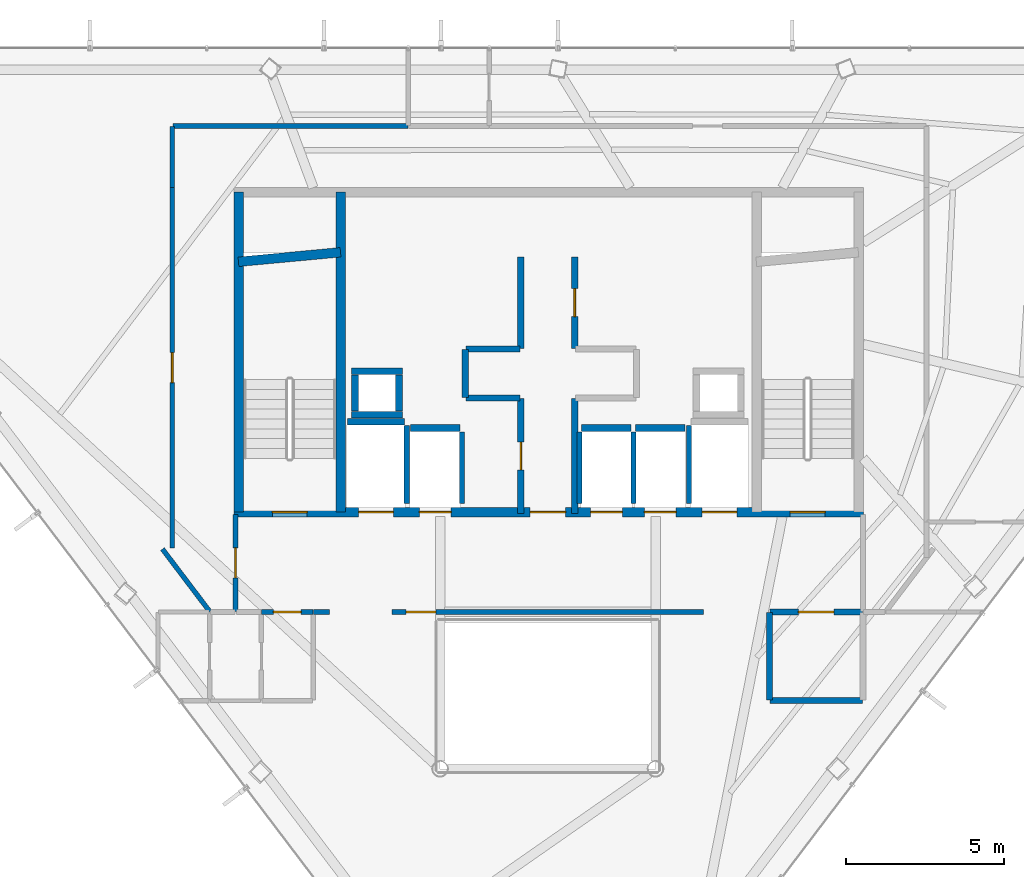
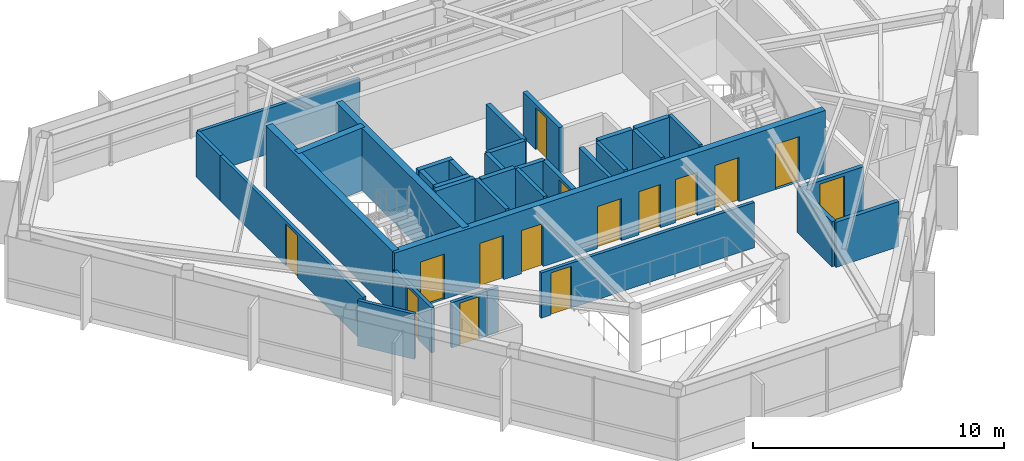
# One storey, part 22 of 24: 35 walls, 15 doors, 15 openings.
"""IFC4 building model written with IfcOpenShell, lengths in metres."""

from ifc_helpers import new_model, si_unit, direction, frame, frame_2d, origin, place, context, subcontext, project, spatial, rectangle, extrude, material, layer, layer_set, type_object, element, fill, save


model = new_model("IFC4")

# Units and contexts
model_context = context("Model", 3, precision=1e-05, world=origin(), true_north=direction((0.0, 1.0)))
body_context = subcontext(model_context, "Body", "Model", "MODEL_VIEW")
ifc_project = project(units=[si_unit("LENGTHUNIT", "METRE"), si_unit("AREAUNIT", "SQUARE_METRE"), si_unit("VOLUMEUNIT", "CUBIC_METRE"), si_unit("PLANEANGLEUNIT", "RADIAN"), si_unit("MASSUNIT", "GRAM", prefix="KILO")], contexts=[model_context])

# Site, building, storey
site_placement = place(None, origin())
site = spatial("IfcSite", under=ifc_project, at=site_placement, CompositionType="ELEMENT")
building_placement = place(site_placement, origin())
building = spatial("IfcBuilding", under=site, at=building_placement, Name="Zarrinselat Tower", CompositionType="ELEMENT")
storey_placement = place(building_placement, frame((0.0, 0.0, 249.56005859375)))
storey = spatial("IfcBuildingStorey", under=building, at=storey_placement, Name="L63", CompositionType="ELEMENT", Elevation=249.56005859375)

# Wall, opening, door
ifc_material_1 = material(Name="Concrete C40/50", Category="concrete")
ifc_layer_1 = layer(ifc_material_1, 0.18994140625)
ifc_layer_set_1 = layer_set([ifc_layer_1], Name="Concrete C40/50")
wall_type_1 = type_object("IfcWallType", Name="WAL-PART-EI120", PredefinedType="PARTITIONING", material=ifc_layer_set_1)
wall_1_placement = place(storey_placement, frame((45.405029296875, 30.14990234375, 0.0), z_axis=(0.0, 0.0, 1.0), x_axis=(1.0, 0.0, 0.0)))
wall_1 = element("IfcWall", 1, at=wall_1_placement, inside=storey, type_object=wall_type_1, Name="L63 Partition Wall 11", PredefinedType="PARTITIONING", context=body_context, shape_type="SweptSolid", body=[
    extrude(rectangle(XDim=2.925048828125, YDim=0.18994140625, at=frame_2d((1.46240234375, 0.0))), origin(), (0.0, 0.0, 1.0), 2.199951171875),
])
opening_1_placement = place(wall_1_placement, frame((0.902587890625, 0.0, 0.0)))
opening_1 = element("IfcOpeningElement", 2, at=opening_1_placement, cuts=wall_1, Name="Opening ID-02", PredefinedType="OPENING", context=body_context, shape_type="SweptSolid", body=[
    extrude(rectangle(XDim=1.1201171875, YDim=2.050048828125, at=frame_2d((0.56005859375, 1.02490234375))), frame((0.0, 0.10498046875, 0.0), z_axis=(0.0, -1.0, 0.0), x_axis=(1.0, 0.0, 0.0)), (0.0, 0.0, 1.0), 0.2099609375),
])
ifc_material_2 = material(Name="Steel S355J2", Category="steel")
door_type_1 = type_object("IfcDoorType", Name="DR-INT-FD60-W", OperationType="NOTDEFINED", PredefinedType="DOOR", material=ifc_material_2)
door_1_placement = place(opening_1_placement, origin())
door_1 = element("IfcDoor", 3, at=door_1_placement, inside=storey, type_object=door_type_1, Name="L63 Interior Door P11", OperationType="SINGLE_SWING_LEFT", OverallHeight=2.050048828125, OverallWidth=1.1201171875, PredefinedType="DOOR", context=body_context, shape_type="SweptSolid", body=[
    extrude(rectangle(XDim=1.1201171875, YDim=2.050048828125, at=frame_2d((0.56005859375, 1.02490234375))), frame((0.0, 0.02490234375, 0.0), z_axis=(0.0, -1.0, 0.0), x_axis=(1.0, 0.0, 0.0)), (0.0, 0.0, 1.0), 0.050048828125),
])
fill(opening_1, door_1)

# Walls
wall_2_placement = place(storey_placement, frame((45.419921875, 27.35009765625, 0.0), z_axis=(0.0, 0.0, 1.0), x_axis=(1.0, 0.0, 0.0)))
element("IfcWall", 4, at=wall_2_placement, inside=storey, type_object=wall_type_1, Name="L63 Partition Wall 18", PredefinedType="PARTITIONING", context=body_context, shape_type="SweptSolid", body=[
    extrude(rectangle(XDim=2.91015625, YDim=0.18994140625, at=frame_2d((1.455078125, 0.0))), origin(), (0.0, 0.0, 1.0), 2.199951171875),
])
wall_3_placement = place(storey_placement, frame((45.39990234375, 27.3701171875, 0.0), z_axis=(0.0, 0.0, 1.0), x_axis=(0.0, 1.0, 0.0)))
element("IfcWall", 5, at=wall_3_placement, inside=storey, type_object=wall_type_1, Name="L63 Partition Wall 19", PredefinedType="PARTITIONING", context=body_context, shape_type="SweptSolid", body=[
    extrude(rectangle(XDim=2.759765625, YDim=0.18994140625, at=frame_2d((1.3798828125, 0.0))), origin(), (0.0, 0.0, 1.0), 2.199951171875),
])

# Wall, opening, door
ifc_material_3 = material(Name="Fire-Rated Gypsum Board Partition", Category="gypsum")
ifc_layer_2 = layer(ifc_material_3, 0.14990234375)
ifc_layer_set_2 = layer_set([ifc_layer_2], Name="Fire-Rated Gypsum Board Partition")
wall_type_2 = type_object("IfcWallType", Name="WAL-PART-EI60", PredefinedType="PARTITIONING", material=ifc_layer_set_2)
wall_4_placement = place(storey_placement, frame((28.550048828125, 30.169921875, 0.0), z_axis=(0.0, 0.0, 1.0), x_axis=(0.0, 1.0, 0.0)))
wall_4 = element("IfcWall", 6, at=wall_4_placement, inside=storey, type_object=wall_type_2, Name="L63 Partition Wall 12", PredefinedType="PARTITIONING", context=body_context, shape_type="SweptSolid", body=[
    extrude(rectangle(XDim=3.06005859375, YDim=0.14990234375, at=frame_2d((1.530029296875, 0.0))), origin(), (0.0, 0.0, 1.0), 2.199951171875),
])
opening_2_placement = place(wall_4_placement, frame((1.06005859375, 0.0, 0.0)))
opening_2 = element("IfcOpeningElement", 7, at=opening_2_placement, cuts=wall_4, Name="Opening ID-04", PredefinedType="OPENING", context=body_context, shape_type="SweptSolid", body=[
    extrude(rectangle(XDim=0.93994140625, YDim=2.050048828125, at=frame_2d((0.469970703125, 1.02490234375))), frame((0.0, 0.0849609375, 0.0), z_axis=(0.0, -1.0, 0.0), x_axis=(1.0, 0.0, 0.0)), (0.0, 0.0, 1.0), 0.169921875),
])
ifc_material_4 = material(Name="Fire-Rated Gypsum Board Partition")
door_type_2 = type_object("IfcDoorType", Name="DR-INT-FD30-ENT", OperationType="NOTDEFINED", PredefinedType="DOOR", material=ifc_material_4)
door_2_placement = place(opening_2_placement, origin())
door_2 = element("IfcDoor", 8, at=door_2_placement, inside=storey, type_object=door_type_2, Name="L63 Interior Door P12", OperationType="SINGLE_SWING_RIGHT", OverallHeight=2.050048828125, OverallWidth=0.93994140625, PredefinedType="DOOR", context=body_context, shape_type="SweptSolid", body=[
    extrude(rectangle(XDim=0.93994140625, YDim=2.050048828125, at=frame_2d((0.469970703125, 1.02490234375))), frame((0.0, 0.02490234375, 0.0), z_axis=(0.0, -1.0, 0.0), x_axis=(1.0, 0.0, 0.0)), (0.0, 0.0, 1.0), 0.050048828125),
])
fill(opening_2, door_2)

wall_5_placement = place(storey_placement, frame((29.364990234375, 30.14990234375, 0.0), z_axis=(0.0, 0.0, 1.0), x_axis=(1.0, 0.0, 0.0)))
wall_5 = element("IfcWall", 9, at=wall_5_placement, inside=storey, type_object=wall_type_2, Name="L63 Partition Wall 14", PredefinedType="PARTITIONING", context=body_context, shape_type="SweptSolid", body=[
    extrude(rectangle(XDim=1.630126953125, YDim=0.14990234375, at=frame_2d((0.81494140625, 0.0))), origin(), (0.0, 0.0, 1.0), 2.199951171875),
])
opening_3_placement = place(wall_5_placement, frame((0.375, 0.0, 0.0)))
opening_3 = element("IfcOpeningElement", 10, at=opening_3_placement, cuts=wall_5, Name="Opening ID-03", PredefinedType="OPENING", context=body_context, shape_type="SweptSolid", body=[
    extrude(rectangle(XDim=0.8798828125, YDim=2.050048828125, at=frame_2d((0.43994140625, 1.02490234375))), frame((0.0, 0.0849609375, 0.0), z_axis=(0.0, -1.0, 0.0), x_axis=(1.0, 0.0, 0.0)), (0.0, 0.0, 1.0), 0.169921875),
])
ifc_material_5 = material(Name="Steel S355J2", Category="steel")
door_type_3 = type_object("IfcDoorType", Name="DR-INT-FD60-S", OperationType="NOTDEFINED", PredefinedType="DOOR", material=ifc_material_5)
door_3_placement = place(opening_3_placement, origin())
door_3 = element("IfcDoor", 11, at=door_3_placement, inside=storey, type_object=door_type_3, Name="L63 Interior Door P14", OperationType="SINGLE_SWING_LEFT", OverallHeight=2.050048828125, OverallWidth=0.8798828125, PredefinedType="DOOR", context=body_context, shape_type="SweptSolid", body=[
    extrude(rectangle(XDim=0.8798828125, YDim=2.050048828125, at=frame_2d((0.43994140625, 1.02490234375))), frame((0.0, 0.02490234375, 0.0), z_axis=(0.0, -1.0, 0.0), x_axis=(1.0, 0.0, 0.0)), (0.0, 0.0, 1.0), 0.050048828125),
])
fill(opening_3, door_3)

wall_6_placement = place(storey_placement, frame((33.485107421875, 30.14990234375, 0.0), z_axis=(0.0, 0.0, 1.0), x_axis=(1.0, 0.0, 0.0)))
wall_6 = element("IfcWall", 12, at=wall_6_placement, inside=storey, type_object=wall_type_2, Name="L63 Partition Wall 16", PredefinedType="PARTITIONING", context=body_context, shape_type="SweptSolid", body=[
    extrude(rectangle(XDim=9.829833984375, YDim=0.14990234375, at=frame_2d((4.9150390625, 0.0))), origin(), (0.0, 0.0, 1.0), 2.199951171875),
])
opening_4_placement = place(wall_6_placement, frame((0.445068359375, 0.0, 0.0)))
opening_4 = element("IfcOpeningElement", 13, at=opening_4_placement, cuts=wall_6, Name="Opening ID-04", PredefinedType="OPENING", context=body_context, shape_type="SweptSolid", body=[
    extrude(rectangle(XDim=0.93994140625, YDim=2.050048828125, at=frame_2d((0.469970703125, 1.02490234375))), frame((0.0, 0.0849609375, 0.0), z_axis=(0.0, -1.0, 0.0), x_axis=(1.0, 0.0, 0.0)), (0.0, 0.0, 1.0), 0.169921875),
])
door_4_placement = place(opening_4_placement, origin())
door_4 = element("IfcDoor", 14, at=door_4_placement, inside=storey, type_object=door_type_2, Name="L63 Interior Door P16", OperationType="SINGLE_SWING_RIGHT", OverallHeight=2.050048828125, OverallWidth=0.93994140625, PredefinedType="DOOR", context=body_context, shape_type="SweptSolid", body=[
    extrude(rectangle(XDim=0.93994140625, YDim=2.050048828125, at=frame_2d((0.469970703125, 1.02490234375))), frame((0.0, 0.02490234375, 0.0), z_axis=(0.0, -1.0, 0.0), x_axis=(1.0, 0.0, 0.0)), (0.0, 0.0, 1.0), 0.050048828125),
])
fill(opening_4, door_4)

# Walls
wall_7_placement = place(storey_placement, frame((31.0048828125, 30.14990234375, 0.0), z_axis=(0.0, 0.0, 1.0), x_axis=(1.0, 0.0, 0.0)))
element("IfcWall", 15, at=wall_7_placement, inside=storey, type_object=wall_type_2, Name="L63 Partition Wall 17", PredefinedType="PARTITIONING", context=body_context, shape_type="SweptSolid", body=[
    extrude(rectangle(XDim=0.510009765625, YDim=0.14990234375, at=frame_2d((0.2548828125, 0.0))), origin(), (0.0, 0.0, 1.0), 2.199951171875),
])
wall_8_placement = place(storey_placement, frame((26.24169921875, 32.134033203125, 0.0), z_axis=(0.0, 0.0, 1.0), x_axis=(0.603806281462, -0.797131089889, 0.0)))
element("IfcWall", 16, at=wall_8_placement, inside=storey, type_object=wall_type_2, Name="L63 Partition Wall 23", PredefinedType="PARTITIONING", context=body_context, shape_type="SweptSolid", body=[
    extrude(rectangle(XDim=2.468994140625, YDim=0.14990234375, at=frame_2d((1.234375, 0.0))), origin(), (0.0, 0.0, 1.0), 2.199951171875),
])

# Wall, opening, door
wall_9_placement = place(storey_placement, frame((26.550048828125, 32.169921875, 0.0), z_axis=(0.0, 0.0, 1.0), x_axis=(0.0, 1.0, 0.0)))
wall_9 = element("IfcWall", 17, at=wall_9_placement, inside=storey, type_object=wall_type_2, Name="L63 Partition Wall 24", PredefinedType="PARTITIONING", context=body_context, shape_type="SweptSolid", body=[
    extrude(rectangle(XDim=11.380126953125, YDim=0.14990234375, at=frame_2d((5.68994140625, 0.0))), origin(), (0.0, 0.0, 1.0), 2.199951171875),
])
opening_5_placement = place(wall_9_placement, frame((5.219970703125, 0.0, 0.0)))
opening_5 = element("IfcOpeningElement", 18, at=opening_5_placement, cuts=wall_9, Name="Opening ID-04", PredefinedType="OPENING", context=body_context, shape_type="SweptSolid", body=[
    extrude(rectangle(XDim=0.93994140625, YDim=2.050048828125, at=frame_2d((0.469970703125, 1.02490234375))), frame((0.0, 0.0849609375, 0.0), z_axis=(0.0, -1.0, 0.0), x_axis=(1.0, 0.0, 0.0)), (0.0, 0.0, 1.0), 0.169921875),
])
door_5_placement = place(opening_5_placement, origin())
door_5 = element("IfcDoor", 19, at=door_5_placement, inside=storey, type_object=door_type_2, Name="L63 Interior Door P24", OperationType="SINGLE_SWING_LEFT", OverallHeight=2.050048828125, OverallWidth=0.93994140625, PredefinedType="DOOR", context=body_context, shape_type="SweptSolid", body=[
    extrude(rectangle(XDim=0.93994140625, YDim=2.050048828125, at=frame_2d((0.469970703125, 1.02490234375))), frame((0.0, 0.02490234375, 0.0), z_axis=(0.0, -1.0, 0.0), x_axis=(1.0, 0.0, 0.0)), (0.0, 0.0, 1.0), 0.050048828125),
])
fill(opening_5, door_5)

# Walls
wall_10_placement = place(storey_placement, frame((26.550048828125, 43.550048828125, 0.0), z_axis=(0.0, 0.0, 1.0), x_axis=(0.0, 1.0, 0.0)))
element("IfcWall", 20, at=wall_10_placement, inside=storey, type_object=wall_type_2, Name="L63 Partition Wall 25", PredefinedType="PARTITIONING", context=body_context, shape_type="SweptSolid", body=[
    extrude(rectangle(XDim=1.91455078125, YDim=0.14990234375, at=frame_2d((0.957275390625, 0.0))), origin(), (0.0, 0.0, 1.0), 2.199951171875),
])
wall_11_placement = place(storey_placement, frame((26.570068359375, 45.484619140625, 0.0), z_axis=(0.0, 0.0, 1.0), x_axis=(1.0, 0.0, 0.0)))
element("IfcWall", 21, at=wall_11_placement, inside=storey, type_object=wall_type_2, Name="L63 Partition Wall 26", PredefinedType="PARTITIONING", context=body_context, shape_type="SweptSolid", body=[
    extrude(rectangle(XDim=7.425048828125, YDim=0.14990234375, at=frame_2d((3.71240234375, 0.0))), origin(), (0.0, 0.0, 1.0), 2.199951171875),
])

# Wall, opening, door
ifc_material_6 = material(Name="Concrete C40/50", Category="concrete")
ifc_layer_3 = layer(ifc_material_6, 0.199951171875)
ifc_layer_set_3 = layer_set([ifc_layer_3], Name="Concrete C40/50")
wall_type_3 = type_object("IfcWallType", Name="WAL-PART-PLANT", PredefinedType="PARTITIONING", material=ifc_layer_set_3)
wall_12_placement = place(storey_placement, frame((37.550048828125, 33.264892578125, 0.0), z_axis=(0.0, 0.0, 1.0), x_axis=(0.0, 1.0, 0.0)))
wall_12 = element("IfcWall", 22, at=wall_12_placement, inside=storey, type_object=wall_type_3, Name="L63 Partition Wall 1", PredefinedType="PARTITIONING", context=body_context, shape_type="SweptSolid", body=[
    extrude(rectangle(XDim=3.614990234375, YDim=0.199951171875, at=frame_2d((1.8076171875, 0.0))), origin(), (0.0, 0.0, 1.0), 2.199951171875),
])
opening_6_placement = place(wall_12_placement, frame((1.367431640625, 0.0, 0.0)))
opening_6 = element("IfcOpeningElement", 23, at=opening_6_placement, cuts=wall_12, Name="Opening ID-03", PredefinedType="OPENING", context=body_context, shape_type="SweptSolid", body=[
    extrude(rectangle(XDim=0.8798828125, YDim=2.050048828125, at=frame_2d((0.43994140625, 1.02490234375))), frame((0.0, 0.10986328125, 0.0), z_axis=(0.0, -1.0, 0.0), x_axis=(1.0, 0.0, 0.0)), (0.0, 0.0, 1.0), 0.219970703125),
])
door_6_placement = place(opening_6_placement, origin())
door_6 = element("IfcDoor", 24, at=door_6_placement, inside=storey, type_object=door_type_3, Name="L63 Interior Door P1", OperationType="SINGLE_SWING_LEFT", OverallHeight=2.050048828125, OverallWidth=0.8798828125, PredefinedType="DOOR", context=body_context, shape_type="SweptSolid", body=[
    extrude(rectangle(XDim=0.8798828125, YDim=2.050048828125, at=frame_2d((0.43994140625, 1.02490234375))), frame((0.0, 0.02490234375, 0.0), z_axis=(0.0, -1.0, 0.0), x_axis=(1.0, 0.0, 0.0)), (0.0, 0.0, 1.0), 0.050048828125),
])
fill(opening_6, door_6)

# Walls
wall_13_placement = place(storey_placement, frame((35.820068359375, 36.89990234375, 0.0), z_axis=(0.0, 0.0, 1.0), x_axis=(1.0, 0.0, 0.0)))
element("IfcWall", 25, at=wall_13_placement, inside=storey, type_object=wall_type_3, Name="L63 Partition Wall 2", PredefinedType="PARTITIONING", context=body_context, shape_type="SweptSolid", body=[
    extrude(rectangle(XDim=1.7099609375, YDim=0.199951171875, at=frame_2d((0.85498046875, 0.0))), origin(), (0.0, 0.0, 1.0), 2.199951171875),
])
wall_14_placement = place(storey_placement, frame((35.800048828125, 36.919921875, 0.0), z_axis=(0.0, 0.0, 1.0), x_axis=(0.0, 1.0, 0.0)))
element("IfcWall", 26, at=wall_14_placement, inside=storey, type_object=wall_type_3, Name="L63 Partition Wall 3", PredefinedType="PARTITIONING", context=body_context, shape_type="SweptSolid", body=[
    extrude(rectangle(XDim=1.510009765625, YDim=0.199951171875, at=frame_2d((0.7548828125, 0.0))), origin(), (0.0, 0.0, 1.0), 2.199951171875),
])
wall_15_placement = place(storey_placement, frame((35.820068359375, 38.449951171875, 0.0), z_axis=(0.0, 0.0, 1.0), x_axis=(1.0, 0.0, 0.0)))
element("IfcWall", 27, at=wall_15_placement, inside=storey, type_object=wall_type_3, Name="L63 Partition Wall 4", PredefinedType="PARTITIONING", context=body_context, shape_type="SweptSolid", body=[
    extrude(rectangle(XDim=1.7099609375, YDim=0.199951171875, at=frame_2d((0.85498046875, 0.0))), origin(), (0.0, 0.0, 1.0), 2.199951171875),
])
wall_16_placement = place(storey_placement, frame((37.550048828125, 38.469970703125, 0.0), z_axis=(0.0, 0.0, 1.0), x_axis=(0.0, 1.0, 0.0)))
element("IfcWall", 28, at=wall_16_placement, inside=storey, type_object=wall_type_3, Name="L63 Partition Wall 5", PredefinedType="PARTITIONING", context=body_context, shape_type="SweptSolid", body=[
    extrude(rectangle(XDim=2.880126953125, YDim=0.199951171875, at=frame_2d((1.43994140625, 0.0))), origin(), (0.0, 0.0, 1.0), 2.199951171875),
])

# Wall, opening, door
wall_17_placement = place(storey_placement, frame((39.25, 38.469970703125, 0.0), z_axis=(0.0, 0.0, 1.0), x_axis=(0.0, 1.0, 0.0)))
wall_17 = element("IfcWall", 29, at=wall_17_placement, inside=storey, type_object=wall_type_3, Name="L63 Partition Wall 6", PredefinedType="PARTITIONING", context=body_context, shape_type="SweptSolid", body=[
    extrude(rectangle(XDim=2.880126953125, YDim=0.199951171875, at=frame_2d((1.43994140625, 0.0))), origin(), (0.0, 0.0, 1.0), 2.199951171875),
])
opening_7_placement = place(wall_17_placement, frame((1.0, 0.0, 0.0)))
opening_7 = element("IfcOpeningElement", 30, at=opening_7_placement, cuts=wall_17, Name="Opening ID-03", PredefinedType="OPENING", context=body_context, shape_type="SweptSolid", body=[
    extrude(rectangle(XDim=0.8798828125, YDim=2.050048828125, at=frame_2d((0.43994140625, 1.02490234375))), frame((0.0, 0.10986328125, 0.0), z_axis=(0.0, -1.0, 0.0), x_axis=(1.0, 0.0, 0.0)), (0.0, 0.0, 1.0), 0.219970703125),
])
door_7_placement = place(opening_7_placement, origin())
door_7 = element("IfcDoor", 31, at=door_7_placement, inside=storey, type_object=door_type_3, Name="L63 Interior Door P6", OperationType="SINGLE_SWING_RIGHT", OverallHeight=2.050048828125, OverallWidth=0.8798828125, PredefinedType="DOOR", context=body_context, shape_type="SweptSolid", body=[
    extrude(rectangle(XDim=0.8798828125, YDim=2.050048828125, at=frame_2d((0.43994140625, 1.02490234375))), frame((0.0, 0.02490234375, 0.0), z_axis=(0.0, -1.0, 0.0), x_axis=(1.0, 0.0, 0.0)), (0.0, 0.0, 1.0), 0.050048828125),
])
fill(opening_7, door_7)

# Walls
wall_18_placement = place(storey_placement, frame((39.25, 33.264892578125, 0.0), z_axis=(0.0, 0.0, 1.0), x_axis=(0.0, 1.0, 0.0)))
element("IfcWall", 32, at=wall_18_placement, inside=storey, type_object=wall_type_3, Name="L63 Partition Wall 10", PredefinedType="PARTITIONING", context=body_context, shape_type="SweptSolid", body=[
    extrude(rectangle(XDim=3.614990234375, YDim=0.199951171875, at=frame_2d((1.8076171875, 0.0))), origin(), (0.0, 0.0, 1.0), 2.199951171875),
])
ifc_material_7 = material(Name="Concrete C40/50", Category="concrete")
ifc_layer_4 = layer(ifc_material_7, 0.2099609375)
ifc_layer_set_4 = layer_set([ifc_layer_4], Name="Concrete C40/50")
wall_type_4 = type_object("IfcWallType", Name="WAL-SHAFT-210", PredefinedType="SOLIDWALL", material=ifc_layer_set_4)
wall_19_placement = place(storey_placement, frame((32.080078125, 36.155029296875, 0.0), z_axis=(0.0, 0.0, 1.0), x_axis=(1.0, 0.0, 0.0)))
element("IfcWall", 33, at=wall_19_placement, inside=storey, type_object=wall_type_4, Name="L63 Lift FFL1 North Shaft Wall", PredefinedType="SOLIDWALL", context=body_context, shape_type="SweptSolid", body=[
    extrude(rectangle(XDim=1.7998046875, YDim=0.2099609375, at=frame_2d((0.89990234375, 0.0))), origin(), (0.0, 0.0, 1.0), 3.050048828125),
])
for number, where, z_axis, x_axis, name in (
    (34, (33.949951171875, 33.580078125, 0.0), (0.0, 0.0, 1.0), (0.0, 1.0, 0.0), "L63 Lift FFL1 E Shaft Wall"),
    (35, (42.85009765625, 33.580078125, 0.0), (0.0, 0.0, 1.0), (0.0, 1.0, 0.0), "L63 Lift FFL2 W Shaft Wall"),
):
    element("IfcWall", number, at=place(storey_placement, frame(where, z_axis=z_axis, x_axis=x_axis)), inside=storey, type_object=wall_type_4, Name=name, PredefinedType="SOLIDWALL", context=body_context, shape_type="SweptSolid", body=[
        extrude(rectangle(XDim=2.449951171875, YDim=0.159912109375, at=frame_2d((1.22509765625, 0.0))), origin(), (0.0, 0.0, 1.0), 3.050048828125),
    ])
wall_20_placement = place(storey_placement, frame((39.469970703125, 35.955078125, 0.0), z_axis=(0.0, 0.0, 1.0), x_axis=(1.0, 0.0, 0.0)))
element("IfcWall", 36, at=wall_20_placement, inside=storey, type_object=wall_type_4, Name="L63 Lift PL8 North Shaft Wall", PredefinedType="SOLIDWALL", context=body_context, shape_type="SweptSolid", body=[
    extrude(rectangle(XDim=1.56005859375, YDim=0.2099609375, at=frame_2d((0.780029296875, 0.0))), origin(), (0.0, 0.0, 1.0), 3.050048828125),
])
for number, where, z_axis, x_axis, name in (
    (37, (39.39990234375, 33.580078125, 0.0), (0.0, 0.0, 1.0), (0.0, 1.0, 0.0), "L63 Lift PL8 W Shaft Wall"),
    (38, (41.10009765625, 33.580078125, 0.0), (0.0, 0.0, 1.0), (0.0, 1.0, 0.0), "L63 Lift PL8 E Shaft Wall"),
):
    element("IfcWall", number, at=place(storey_placement, frame(where, z_axis=z_axis, x_axis=x_axis)), inside=storey, type_object=wall_type_4, Name=name, PredefinedType="SOLIDWALL", context=body_context, shape_type="SweptSolid", body=[
        extrude(rectangle(XDim=2.25, YDim=0.159912109375, at=frame_2d((1.125, 0.0))), origin(), (0.0, 0.0, 1.0), 3.050048828125),
    ])
wall_21_placement = place(storey_placement, frame((41.169921875, 35.955078125, 0.0), z_axis=(0.0, 0.0, 1.0), x_axis=(1.0, 0.0, 0.0)))
element("IfcWall", 39, at=wall_21_placement, inside=storey, type_object=wall_type_4, Name="L63 Lift PL9 North Shaft Wall", PredefinedType="SOLIDWALL", context=body_context, shape_type="SweptSolid", body=[
    extrude(rectangle(XDim=1.56005859375, YDim=0.2099609375, at=frame_2d((0.780029296875, 0.0))), origin(), (0.0, 0.0, 1.0), 3.050048828125),
])
wall_22_placement = place(storey_placement, frame((34.070068359375, 35.955078125, 0.0), z_axis=(0.0, 0.0, 1.0), x_axis=(1.0, 0.0, 0.0)))
element("IfcWall", 40, at=wall_22_placement, inside=storey, type_object=wall_type_4, Name="L63 Lift PL10 North Shaft Wall", PredefinedType="SOLIDWALL", context=body_context, shape_type="SweptSolid", body=[
    extrude(rectangle(XDim=1.559814453125, YDim=0.2099609375, at=frame_2d((0.77978515625, 0.0))), origin(), (0.0, 0.0, 1.0), 3.050048828125),
])
wall_23_placement = place(storey_placement, frame((35.699951171875, 33.580078125, 0.0), z_axis=(0.0, 0.0, 1.0), x_axis=(0.0, 1.0, 0.0)))
element("IfcWall", 41, at=wall_23_placement, inside=storey, type_object=wall_type_4, Name="L63 Lift PL10 E Shaft Wall", PredefinedType="SOLIDWALL", context=body_context, shape_type="SweptSolid", body=[
    extrude(rectangle(XDim=2.25, YDim=0.159912109375, at=frame_2d((1.125, 0.0))), origin(), (0.0, 0.0, 1.0), 3.050048828125),
])
for number, where, z_axis, x_axis, name in (
    (42, (32.2099609375, 36.375, 0.0), (0.0, 0.0, 1.0), (1.0, 0.0, 0.0), "L63 Core Riser RSR-W S Shaft Wall"),
    (43, (32.2099609375, 37.7451171875, 0.0), (0.0, 0.0, 1.0), (1.0, 0.0, 0.0), "L63 Core Riser RSR-W N Shaft Wall"),
):
    element("IfcWall", number, at=place(storey_placement, frame(where, z_axis=z_axis, x_axis=x_axis)), inside=storey, type_object=wall_type_4, Name=name, PredefinedType="SOLIDWALL", context=body_context, shape_type="SweptSolid", body=[
        extrude(rectangle(XDim=1.60009765625, YDim=0.2099609375, at=frame_2d((0.800048828125, 0.0))), origin(), (0.0, 0.0, 1.0), 3.050048828125),
    ])
for number, where, z_axis, x_axis, name in (
    (44, (32.31494140625, 36.485107421875, 0.0), (0.0, 0.0, 1.0), (0.0, 1.0, 0.0), "L63 Core Riser RSR-W W Shaft Wall"),
    (45, (33.705078125, 36.485107421875, 0.0), (0.0, 0.0, 1.0), (0.0, 1.0, 0.0), "L63 Core Riser RSR-W E Shaft Wall"),
):
    element("IfcWall", number, at=place(storey_placement, frame(where, z_axis=z_axis, x_axis=x_axis)), inside=storey, type_object=wall_type_4, Name=name, PredefinedType="SOLIDWALL", context=body_context, shape_type="SweptSolid", body=[
        extrude(rectangle(XDim=1.14990234375, YDim=0.2099609375, at=frame_2d((0.574951171875, 0.0))), origin(), (0.0, 0.0, 1.0), 3.050048828125),
    ])

# Wall, openings, doors
ifc_material_8 = material(Name="Concrete C40/50", Category="concrete")
ifc_layer_5 = layer(ifc_material_8, 0.300048828125)
ifc_layer_set_5 = layer_set([ifc_layer_5], Name="Concrete C40/50")
wall_type_5 = type_object("IfcWallType", Name="WAL-SHEAR-300", PredefinedType="SHEAR", material=ifc_layer_set_5)
wall_24_placement = place(storey_placement, frame((28.5, 33.300048828125, 0.0), z_axis=(0.0, 0.0, 1.0), x_axis=(1.0, 0.0, 0.0)))
wall_24 = element("IfcWall", 46, at=wall_24_placement, inside=storey, type_object=wall_type_5, Name="L63 South Core Shear Wall", PredefinedType="SHEAR", context=body_context, shape_type="SweptSolid", body=[
    extrude(rectangle(XDim=19.860107421875, YDim=0.300048828125, at=frame_2d((9.93017578125, 0.0))), origin(), (0.0, 0.0, 1.0), 3.050048828125),
])
opening_8_placement = place(wall_24_placement, frame((3.929931640625, 0.0, 0.0)))
opening_8 = element("IfcOpeningElement", 47, at=opening_8_placement, cuts=wall_24, Name="Opening LD-FFL1", PredefinedType="OPENING", context=body_context, shape_type="SweptSolid", body=[
    extrude(rectangle(XDim=1.10009765625, YDim=2.14990234375, at=frame_2d((0.550048828125, 1.074951171875))), frame((0.0, 0.159912109375, 0.0), z_axis=(0.0, -1.0, 0.0), x_axis=(1.0, 0.0, 0.0)), (0.0, 0.0, 1.0), 0.320068359375),
])
opening_9_placement = place(wall_24_placement, frame((14.77001953125, 0.0, 0.0)))
opening_9 = element("IfcOpeningElement", 48, at=opening_9_placement, cuts=wall_24, Name="Opening LD-FFL2", PredefinedType="OPENING", context=body_context, shape_type="SweptSolid", body=[
    extrude(rectangle(XDim=1.10009765625, YDim=2.14990234375, at=frame_2d((0.550048828125, 1.074951171875))), frame((0.0, 0.159912109375, 0.0), z_axis=(0.0, -1.0, 0.0), x_axis=(1.0, 0.0, 0.0)), (0.0, 0.0, 1.0), 0.320068359375),
])
opening_10_placement = place(wall_24_placement, frame((11.25, 0.0, 0.0)))
opening_10 = element("IfcOpeningElement", 49, at=opening_10_placement, cuts=wall_24, Name="Opening LD-PL8", PredefinedType="OPENING", context=body_context, shape_type="SweptSolid", body=[
    extrude(rectangle(XDim=1.0, YDim=2.10009765625, at=frame_2d((0.5, 1.050048828125))), frame((0.0, 0.159912109375, 0.0), z_axis=(0.0, -1.0, 0.0), x_axis=(1.0, 0.0, 0.0)), (0.0, 0.0, 1.0), 0.320068359375),
])
opening_11_placement = place(wall_24_placement, frame((12.949951171875, 0.0, 0.0)))
opening_11 = element("IfcOpeningElement", 50, at=opening_11_placement, cuts=wall_24, Name="Opening LD-PL9", PredefinedType="OPENING", context=body_context, shape_type="SweptSolid", body=[
    extrude(rectangle(XDim=1.0, YDim=2.10009765625, at=frame_2d((0.5, 1.050048828125))), frame((0.0, 0.159912109375, 0.0), z_axis=(0.0, -1.0, 0.0), x_axis=(1.0, 0.0, 0.0)), (0.0, 0.0, 1.0), 0.320068359375),
])
opening_12_placement = place(wall_24_placement, frame((5.85009765625, 0.0, 0.0)))
opening_12 = element("IfcOpeningElement", 51, at=opening_12_placement, cuts=wall_24, Name="Opening LD-PL10", PredefinedType="OPENING", context=body_context, shape_type="SweptSolid", body=[
    extrude(rectangle(XDim=1.0, YDim=2.10009765625, at=frame_2d((0.5, 1.050048828125))), frame((0.0, 0.159912109375, 0.0), z_axis=(0.0, -1.0, 0.0), x_axis=(1.0, 0.0, 0.0)), (0.0, 0.0, 1.0), 0.320068359375),
])
opening_13_placement = place(wall_24_placement, frame((1.2099609375, 0.0, 0.0)))
opening_13 = element("IfcOpeningElement", 52, at=opening_13_placement, cuts=wall_24, Name="Opening SD-01", PredefinedType="OPENING", context=body_context, shape_type="SweptSolid", body=[
    extrude(rectangle(XDim=1.10009765625, YDim=2.199951171875, at=frame_2d((0.550048828125, 1.10009765625))), frame((0.0, 0.159912109375, 0.0), z_axis=(0.0, -1.0, 0.0), x_axis=(1.0, 0.0, 0.0)), (0.0, 0.0, 1.0), 0.320068359375),
])
opening_14_placement = place(wall_24_placement, frame((9.340087890625, 0.0, 0.0)))
opening_14 = element("IfcOpeningElement", 53, at=opening_14_placement, cuts=wall_24, Name="Opening ID-02", PredefinedType="OPENING", context=body_context, shape_type="SweptSolid", body=[
    extrude(rectangle(XDim=1.1201171875, YDim=2.050048828125, at=frame_2d((0.56005859375, 1.02490234375))), frame((0.0, 0.159912109375, 0.0), z_axis=(0.0, -1.0, 0.0), x_axis=(1.0, 0.0, 0.0)), (0.0, 0.0, 1.0), 0.320068359375),
])
opening_15_placement = place(wall_24_placement, frame((17.550048828125, 0.0, 0.0)))
opening_15 = element("IfcOpeningElement", 54, at=opening_15_placement, cuts=wall_24, Name="Opening SD-01", PredefinedType="OPENING", context=body_context, shape_type="SweptSolid", body=[
    extrude(rectangle(XDim=1.10009765625, YDim=2.199951171875, at=frame_2d((0.550048828125, 1.10009765625))), frame((0.0, 0.159912109375, 0.0), z_axis=(0.0, -1.0, 0.0), x_axis=(1.0, 0.0, 0.0)), (0.0, 0.0, 1.0), 0.320068359375),
])
door_8_placement = place(opening_14_placement, origin())
door_8 = element("IfcDoor", 55, at=door_8_placement, inside=storey, type_object=door_type_1, Name="L63 Core Service Vestibule Fire Door", OperationType="SINGLE_SWING_LEFT", OverallHeight=2.050048828125, OverallWidth=1.1201171875, PredefinedType="DOOR", context=body_context, shape_type="SweptSolid", body=[
    extrude(rectangle(XDim=1.1201171875, YDim=2.050048828125, at=frame_2d((0.56005859375, 1.02490234375))), frame((0.0, 0.02490234375, 0.0), z_axis=(0.0, -1.0, 0.0), x_axis=(1.0, 0.0, 0.0)), (0.0, 0.0, 1.0), 0.050048828125),
])
fill(opening_14, door_8)
ifc_material_9 = material(Name="Steel S355J2", Category="steel")
door_type_4 = type_object("IfcDoorType", Name="DR-LIFT-FF-1100", OperationType="NOTDEFINED", PredefinedType="DOOR", material=ifc_material_9)
door_9_placement = place(opening_8_placement, origin())
door_9 = element("IfcDoor", 56, at=door_9_placement, inside=storey, type_object=door_type_4, Name="L63 Lift FFL1 Sliding Landing Door", OperationType="SLIDING_TO_LEFT", OverallHeight=2.14990234375, OverallWidth=1.10009765625, PredefinedType="DOOR", context=body_context, shape_type="SweptSolid", body=[
    extrude(rectangle(XDim=1.10009765625, YDim=2.14990234375, at=frame_2d((0.550048828125, 1.074951171875))), frame((0.0, 0.02490234375, 0.0), z_axis=(0.0, -1.0, 0.0), x_axis=(1.0, 0.0, 0.0)), (0.0, 0.0, 1.0), 0.050048828125),
])
fill(opening_8, door_9)
door_10_placement = place(opening_9_placement, origin())
door_10 = element("IfcDoor", 57, at=door_10_placement, inside=storey, type_object=door_type_4, Name="L63 Lift FFL2 Sliding Landing Door", OperationType="SLIDING_TO_RIGHT", OverallHeight=2.14990234375, OverallWidth=1.10009765625, PredefinedType="DOOR", context=body_context, shape_type="SweptSolid", body=[
    extrude(rectangle(XDim=1.10009765625, YDim=2.14990234375, at=frame_2d((0.550048828125, 1.074951171875))), frame((0.0, 0.02490234375, 0.0), z_axis=(0.0, -1.0, 0.0), x_axis=(1.0, 0.0, 0.0)), (0.0, 0.0, 1.0), 0.050048828125),
])
fill(opening_9, door_10)
ifc_material_10 = material(Name="Steel S355J2", Category="steel")
door_type_5 = type_object("IfcDoorType", Name="DR-LIFT-PS-1000", OperationType="NOTDEFINED", PredefinedType="DOOR", material=ifc_material_10)
door_11_placement = place(opening_10_placement, origin())
door_11 = element("IfcDoor", 58, at=door_11_placement, inside=storey, type_object=door_type_5, Name="L63 Lift PL8 Sliding Landing Door", OperationType="SLIDING_TO_RIGHT", OverallHeight=2.10009765625, OverallWidth=1.0, PredefinedType="DOOR", context=body_context, shape_type="SweptSolid", body=[
    extrude(rectangle(XDim=1.0, YDim=2.10009765625, at=frame_2d((0.5, 1.050048828125))), frame((0.0, 0.02490234375, 0.0), z_axis=(0.0, -1.0, 0.0), x_axis=(1.0, 0.0, 0.0)), (0.0, 0.0, 1.0), 0.050048828125),
])
fill(opening_10, door_11)
door_12_placement = place(opening_11_placement, origin())
door_12 = element("IfcDoor", 59, at=door_12_placement, inside=storey, type_object=door_type_5, Name="L63 Lift PL9 Sliding Landing Door", OperationType="SLIDING_TO_LEFT", OverallHeight=2.10009765625, OverallWidth=1.0, PredefinedType="DOOR", context=body_context, shape_type="SweptSolid", body=[
    extrude(rectangle(XDim=1.0, YDim=2.10009765625, at=frame_2d((0.5, 1.050048828125))), frame((0.0, 0.02490234375, 0.0), z_axis=(0.0, -1.0, 0.0), x_axis=(1.0, 0.0, 0.0)), (0.0, 0.0, 1.0), 0.050048828125),
])
fill(opening_11, door_12)
door_13_placement = place(opening_12_placement, origin())
door_13 = element("IfcDoor", 60, at=door_13_placement, inside=storey, type_object=door_type_5, Name="L63 Lift PL10 Sliding Landing Door", OperationType="SLIDING_TO_RIGHT", OverallHeight=2.10009765625, OverallWidth=1.0, PredefinedType="DOOR", context=body_context, shape_type="SweptSolid", body=[
    extrude(rectangle(XDim=1.0, YDim=2.10009765625, at=frame_2d((0.5, 1.050048828125))), frame((0.0, 0.02490234375, 0.0), z_axis=(0.0, -1.0, 0.0), x_axis=(1.0, 0.0, 0.0)), (0.0, 0.0, 1.0), 0.050048828125),
])
fill(opening_12, door_13)
ifc_material_11 = material(Name="Steel S355J2", Category="steel")
door_type_6 = type_object("IfcDoorType", Name="DR-STAIR-1100", OperationType="NOTDEFINED", PredefinedType="DOOR", material=ifc_material_11)
door_14_placement = place(opening_13_placement, origin())
door_14 = element("IfcDoor", 61, at=door_14_placement, inside=storey, type_object=door_type_6, Name="L63 Exit Stair 1 Fire Door", OperationType="SINGLE_SWING_LEFT", OverallHeight=2.199951171875, OverallWidth=1.10009765625, PredefinedType="DOOR", context=body_context, shape_type="SweptSolid", body=[
    extrude(rectangle(XDim=1.10009765625, YDim=2.199951171875, at=frame_2d((0.550048828125, 1.10009765625))), frame((0.0, 0.02490234375, 0.0), z_axis=(0.0, -1.0, 0.0), x_axis=(1.0, 0.0, 0.0)), (0.0, 0.0, 1.0), 0.050048828125),
])
fill(opening_13, door_14)
door_15_placement = place(opening_15_placement, origin())
door_15 = element("IfcDoor", 62, at=door_15_placement, inside=storey, type_object=door_type_6, Name="L63 Exit Stair 2 Fire Door", OperationType="SINGLE_SWING_RIGHT", OverallHeight=2.199951171875, OverallWidth=1.10009765625, PredefinedType="DOOR", context=body_context, shape_type="SweptSolid", body=[
    extrude(rectangle(XDim=1.10009765625, YDim=2.199951171875, at=frame_2d((0.550048828125, 1.10009765625))), frame((0.0, 0.02490234375, 0.0), z_axis=(0.0, -1.0, 0.0), x_axis=(1.0, 0.0, 0.0)), (0.0, 0.0, 1.0), 0.050048828125),
])
fill(opening_15, door_15)

# Walls
for number, where, z_axis, x_axis, name in (
    (63, (28.64990234375, 33.300048828125, 0.0), (0.0, 0.0, 1.0), (0.0, 1.0, 0.0), "L63 Core Shear Wall W"),
    (64, (31.8701171875, 33.300048828125, 0.0), (0.0, 0.0, 1.0), (0.0, 1.0, 0.0), "L63 Core Shear Wall ST1E"),
):
    element("IfcWall", number, at=place(storey_placement, frame(where, z_axis=z_axis, x_axis=x_axis)), inside=storey, type_object=wall_type_5, Name=name, PredefinedType="SHEAR", context=body_context, shape_type="SweptSolid", body=[
        extrude(rectangle(XDim=10.099853515625, YDim=0.300048828125, at=frame_2d((5.0498046875, 0.0))), origin(), (0.0, 0.0, 1.0), 3.050048828125),
    ])
wall_25_placement = place(storey_placement, frame((28.639892578125, 41.199951171875, 0.0), z_axis=(0.0, 0.0, 1.0), x_axis=(0.995687118776, 0.092774789157, 0.0)))
element("IfcWall", 65, at=wall_25_placement, inside=storey, type_object=wall_type_5, Name="L63 Stair 1 North Shaft Wall", PredefinedType="SHEAR", context=body_context, shape_type="SweptSolid", body=[
    extrude(rectangle(XDim=3.234130859375, YDim=0.300048828125, at=frame_2d((1.6171875, 0.0))), origin(), (0.0, 0.0, 1.0), 3.050048828125),
])

save(model, "model.ifc")
